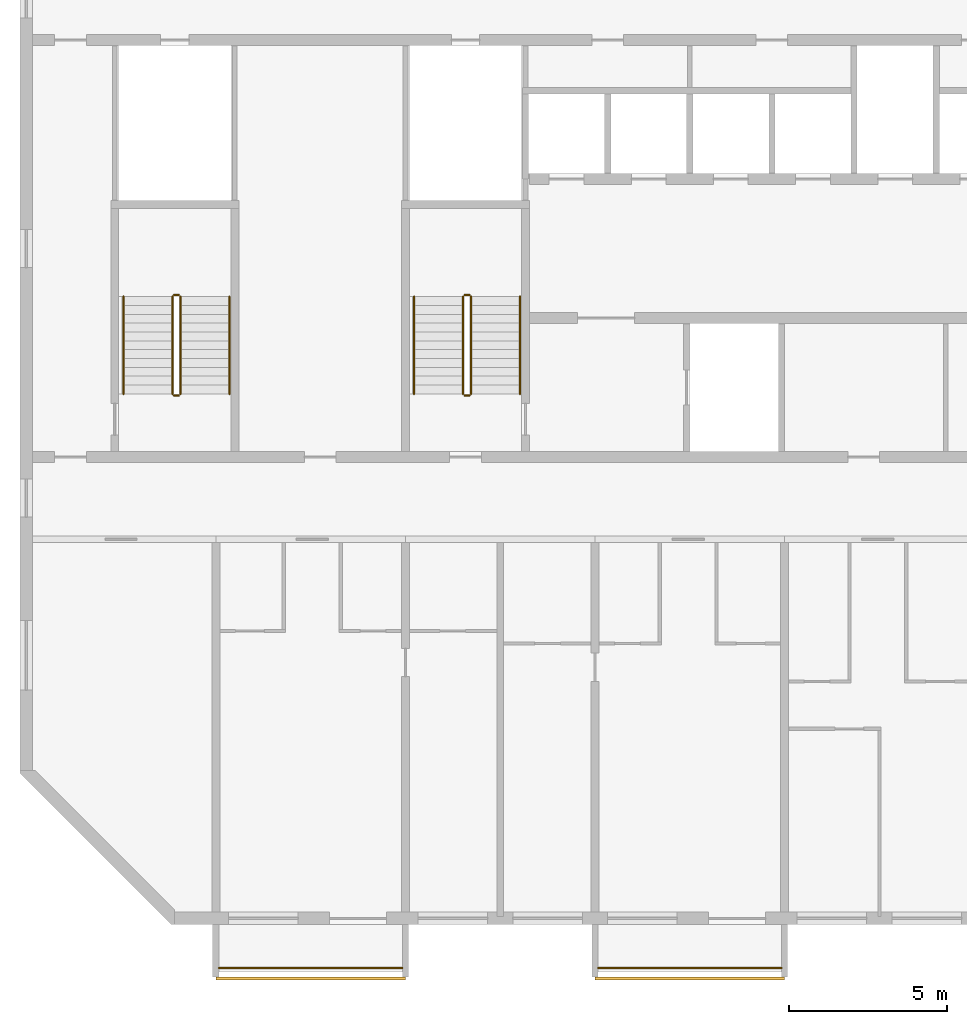
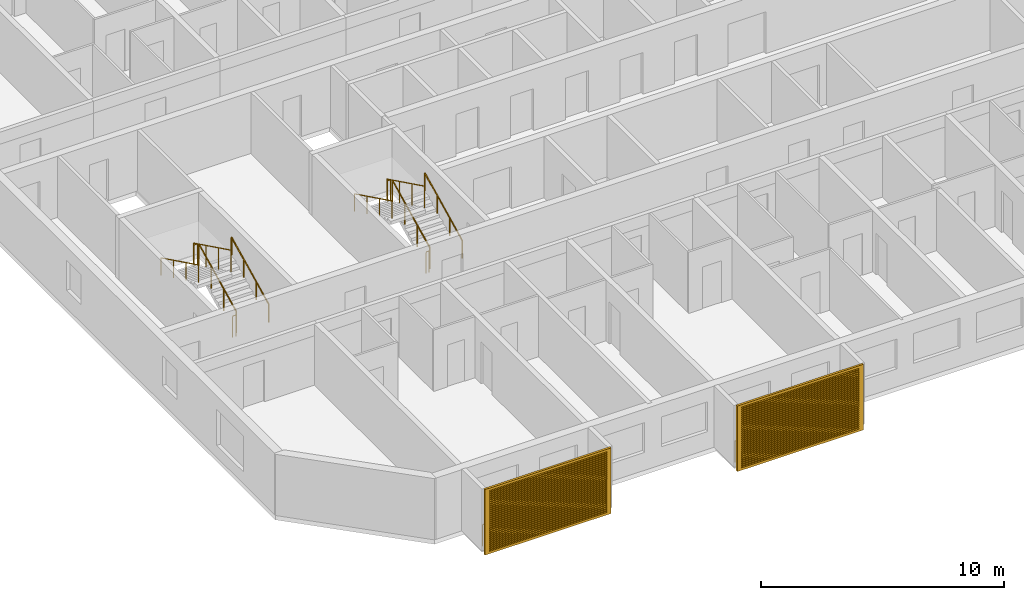
# One storey, part 13 of 26: 14 railings, 2 shading devices.
"""IFC4 building model written with IfcOpenShell, lengths in metres."""

from ifc_helpers import new_model, si_unit, direction, frame, origin, origin_2d, place, context, subcontext, project, spatial, polyline, circle, outline, extrude, source, transform, mapped, material, material_profile, profile_set, type_object, element, save


model = new_model("IFC4")

# Units and contexts
model_context = context("Model", 3, precision=1e-05, world=origin(), true_north=direction((0.0, 1.0)))
body_context = subcontext(model_context, "Body", "Model", "MODEL_VIEW")
ifc_project = project(units=[si_unit("LENGTHUNIT", "METRE"), si_unit("AREAUNIT", "SQUARE_METRE"), si_unit("VOLUMEUNIT", "CUBIC_METRE"), si_unit("PLANEANGLEUNIT", "RADIAN"), si_unit("MASSUNIT", "GRAM", prefix="KILO")], contexts=[model_context])

# Site, building, storey
site_placement = place(None, origin())
site = spatial("IfcSite", under=ifc_project, at=site_placement, CompositionType="ELEMENT")
building_placement = place(site_placement, origin())
building = spatial("IfcBuilding", under=site, at=building_placement, Name="Poui Terraces", CompositionType="ELEMENT")
storey_placement = place(building_placement, frame((0.0, 0.0, 247.800048828125)))
storey = spatial("IfcBuildingStorey", under=building, at=storey_placement, Name="L69", CompositionType="ELEMENT", Elevation=247.800048828125)

# Railings
ifc_material_1 = material(Name="Painted steel fretwork", Category="steel")
railing_type_1 = type_object("IfcRailingType", Name="BALCONY GUARD 1100", PredefinedType="GUARDRAIL", material=ifc_material_1)
for number, where, name in (
    (1, (24.10009765625, -1.570068359375, 0.0), "BALCONY GUARD"),
    (2, (36.10009765625, -1.570068359375, 0.0), "BALCONY GUARD"),
):
    element("IfcRailing", number, at=place(storey_placement, frame(where)), inside=storey, type_object=railing_type_1, Name=name, PredefinedType="GUARDRAIL", context=body_context, shape_type="SweptSolid", body=[
        extrude(circle(Radius=0.02392578125, at=origin_2d()), frame((0.0, 0.0, 1.076171875), z_axis=(1.0, 0.0, 0.0), x_axis=(0.0, 1.0, 0.0)), (0.0, 0.0, 1.0), 5.7998046875),
        extrude(circle(Radius=0.02099609375, at=origin_2d()), origin(), (0.0, 0.0, 1.0), 1.052001953125),
        extrude(circle(Radius=0.02099609375, at=origin_2d()), frame((0.966552734375, 0.0, 0.0)), (0.0, 0.0, 1.0), 1.052001953125),
        extrude(circle(Radius=0.02099609375, at=origin_2d()), frame((1.933349609375, 0.0, 0.0)), (0.0, 0.0, 1.0), 1.052001953125),
        extrude(circle(Radius=0.02099609375, at=origin_2d()), frame((2.89990234375, 0.0, 0.0)), (0.0, 0.0, 1.0), 1.052001953125),
        extrude(circle(Radius=0.02099609375, at=origin_2d()), frame((3.866455078125, 0.0, 0.0)), (0.0, 0.0, 1.0), 1.052001953125),
        extrude(circle(Radius=0.02099609375, at=origin_2d()), frame((4.833251953125, 0.0, 0.0)), (0.0, 0.0, 1.0), 1.052001953125),
        extrude(circle(Radius=0.02099609375, at=origin_2d()), frame((5.7998046875, 0.0, 0.0)), (0.0, 0.0, 1.0), 1.052001953125),
    ])
ifc_material_2 = material(Name="Galvanised steel balustrade", Category="steel")
railing_type_2 = type_object("IfcRailingType", Name="STAIR GUARD 1100", PredefinedType="GUARDRAIL", material=ifc_material_2)
railing_1_placement = place(storey_placement, frame((32.074951171875, 16.60009765625, 0.137451171875)))
element("IfcRailing", 3, at=railing_1_placement, inside=storey, type_object=railing_type_2, Name="L69 ST-CW stair guard 1", PredefinedType="GUARDRAIL", context=body_context, shape_type="SweptSolid", body=[
    extrude(circle(Radius=0.02392578125, at=origin_2d()), frame((0.0, 0.0, 1.076171875), z_axis=(0.0, 0.897606190399, 0.440798283751), x_axis=(-1.0, 0.0, 0.0)), (0.0, 0.0, 1.0), 3.43115234375),
    extrude(circle(Radius=0.02099609375, at=origin_2d()), origin(), (0.0, 0.0, 1.0), 1.052001953125),
    extrude(circle(Radius=0.02099609375, at=origin_2d()), frame((0.0, 1.026611328125, 0.504150390625)), (0.0, 0.0, 1.0), 1.052001953125),
    extrude(circle(Radius=0.02099609375, at=origin_2d()), frame((0.0, 2.05322265625, 1.00830078125)), (0.0, 0.0, 1.0), 1.052001953125),
    extrude(circle(Radius=0.02099609375, at=origin_2d()), frame((0.0, 3.079833984375, 1.512451171875)), (0.0, 0.0, 1.0), 1.052001953125),
])
railing_2_placement = place(storey_placement, frame((32.02490234375, 19.72998046875, 1.64990234375)))
element("IfcRailing", 4, at=railing_2_placement, inside=storey, type_object=railing_type_2, Name="L69 ST-CW stair guard 2", PredefinedType="GUARDRAIL", context=body_context, shape_type="SweptSolid", body=[
    extrude(circle(Radius=0.02392578125, at=origin_2d()), frame((0.0, 0.0, 1.076171875), z_axis=(-1.0, 0.0, 0.0), x_axis=(0.0, -1.0, 0.0)), (0.0, 0.0, 1.0), 0.14990234375),
    extrude(circle(Radius=0.02099609375, at=origin_2d()), origin(), (0.0, 0.0, 1.0), 1.052001953125),
    extrude(circle(Radius=0.02099609375, at=origin_2d()), frame((-0.14990234375, 0.0, 0.0)), (0.0, 0.0, 1.0), 1.052001953125),
])
railing_3_placement = place(storey_placement, frame((31.824951171875, 19.679931640625, 1.787353515625)))
element("IfcRailing", 5, at=railing_3_placement, inside=storey, type_object=railing_type_2, Name="L69 ST-CW stair guard 3", PredefinedType="GUARDRAIL", context=body_context, shape_type="SweptSolid", body=[
    extrude(circle(Radius=0.02392578125, at=origin_2d()), frame((0.0, 0.0, 1.076171875), z_axis=(0.0, -0.897578036475, 0.440855609512), x_axis=(1.0, 0.0, 0.0)), (0.0, 0.0, 1.0), 3.43115234375),
    extrude(circle(Radius=0.02099609375, at=origin_2d()), origin(), (0.0, 0.0, 1.0), 1.052001953125),
    extrude(circle(Radius=0.02099609375, at=origin_2d()), frame((0.0, -1.026611328125, 0.504150390625)), (0.0, 0.0, 1.0), 1.052001953125),
    extrude(circle(Radius=0.02099609375, at=origin_2d()), frame((0.0, -2.05322265625, 1.008544921875)), (0.0, 0.0, 1.0), 1.052001953125),
    extrude(circle(Radius=0.02099609375, at=origin_2d()), frame((0.0, -3.079833984375, 1.5126953125)), (0.0, 0.0, 1.0), 1.052001953125),
])
railing_4_placement = place(storey_placement, frame((32.02490234375, 16.550048828125, 0.0)))
element("IfcRailing", 6, at=railing_4_placement, inside=storey, type_object=railing_type_2, Name="L69 ST-CW stair guard 4", PredefinedType="GUARDRAIL", context=body_context, shape_type="SweptSolid", body=[
    extrude(circle(Radius=0.02392578125, at=origin_2d()), frame((0.0, 0.0, 1.076171875), z_axis=(-1.0, 0.0, 0.0), x_axis=(0.0, -1.0, 0.0)), (0.0, 0.0, 1.0), 0.14990234375),
    extrude(circle(Radius=0.02099609375, at=origin_2d()), origin(), (0.0, 0.0, 1.0), 1.052001953125),
    extrude(circle(Radius=0.02099609375, at=origin_2d()), frame((-0.14990234375, 0.0, 0.0)), (0.0, 0.0, 1.0), 1.052001953125),
])
railing_5_placement = place(storey_placement, frame((22.875, 16.60009765625, 0.137451171875)))
element("IfcRailing", 7, at=railing_5_placement, inside=storey, type_object=railing_type_2, Name="L69 ST-W stair guard 1", PredefinedType="GUARDRAIL", context=body_context, shape_type="SweptSolid", body=[
    extrude(circle(Radius=0.02392578125, at=origin_2d()), frame((0.0, 0.0, 1.076171875), z_axis=(0.0, 0.897606190399, 0.440798283751), x_axis=(-1.0, 0.0, 0.0)), (0.0, 0.0, 1.0), 3.43115234375),
    extrude(circle(Radius=0.02099609375, at=origin_2d()), origin(), (0.0, 0.0, 1.0), 1.052001953125),
    extrude(circle(Radius=0.02099609375, at=origin_2d()), frame((0.0, 1.026611328125, 0.504150390625)), (0.0, 0.0, 1.0), 1.052001953125),
    extrude(circle(Radius=0.02099609375, at=origin_2d()), frame((0.0, 2.05322265625, 1.00830078125)), (0.0, 0.0, 1.0), 1.052001953125),
    extrude(circle(Radius=0.02099609375, at=origin_2d()), frame((0.0, 3.079833984375, 1.512451171875)), (0.0, 0.0, 1.0), 1.052001953125),
])
railing_6_placement = place(storey_placement, frame((22.824951171875, 19.72998046875, 1.64990234375)))
element("IfcRailing", 8, at=railing_6_placement, inside=storey, type_object=railing_type_2, Name="L69 ST-W stair guard 2", PredefinedType="GUARDRAIL", context=body_context, shape_type="SweptSolid", body=[
    extrude(circle(Radius=0.02392578125, at=origin_2d()), frame((0.0, 0.0, 1.076171875), z_axis=(-1.0, 0.0, 0.0), x_axis=(0.0, -1.0, 0.0)), (0.0, 0.0, 1.0), 0.14990234375),
    extrude(circle(Radius=0.02099609375, at=origin_2d()), origin(), (0.0, 0.0, 1.0), 1.052001953125),
    extrude(circle(Radius=0.02099609375, at=origin_2d()), frame((-0.14990234375, 0.0, 0.0)), (0.0, 0.0, 1.0), 1.052001953125),
])
railing_7_placement = place(storey_placement, frame((22.625, 19.679931640625, 1.787353515625)))
element("IfcRailing", 9, at=railing_7_placement, inside=storey, type_object=railing_type_2, Name="L69 ST-W stair guard 3", PredefinedType="GUARDRAIL", context=body_context, shape_type="SweptSolid", body=[
    extrude(circle(Radius=0.02392578125, at=origin_2d()), frame((0.0, 0.0, 1.076171875), z_axis=(0.0, -0.897578036475, 0.440855609512), x_axis=(1.0, 0.0, 0.0)), (0.0, 0.0, 1.0), 3.43115234375),
    extrude(circle(Radius=0.02099609375, at=origin_2d()), origin(), (0.0, 0.0, 1.0), 1.052001953125),
    extrude(circle(Radius=0.02099609375, at=origin_2d()), frame((0.0, -1.026611328125, 0.504150390625)), (0.0, 0.0, 1.0), 1.052001953125),
    extrude(circle(Radius=0.02099609375, at=origin_2d()), frame((0.0, -2.05322265625, 1.008544921875)), (0.0, 0.0, 1.0), 1.052001953125),
    extrude(circle(Radius=0.02099609375, at=origin_2d()), frame((0.0, -3.079833984375, 1.5126953125)), (0.0, 0.0, 1.0), 1.052001953125),
])
railing_8_placement = place(storey_placement, frame((22.824951171875, 16.550048828125, 0.0)))
element("IfcRailing", 10, at=railing_8_placement, inside=storey, type_object=railing_type_2, Name="L69 ST-W stair guard 4", PredefinedType="GUARDRAIL", context=body_context, shape_type="SweptSolid", body=[
    extrude(circle(Radius=0.02392578125, at=origin_2d()), frame((0.0, 0.0, 1.076171875), z_axis=(-1.0, 0.0, 0.0), x_axis=(0.0, -1.0, 0.0)), (0.0, 0.0, 1.0), 0.14990234375),
    extrude(circle(Radius=0.02099609375, at=origin_2d()), origin(), (0.0, 0.0, 1.0), 1.052001953125),
    extrude(circle(Radius=0.02099609375, at=origin_2d()), frame((-0.14990234375, 0.0, 0.0)), (0.0, 0.0, 1.0), 1.052001953125),
])
ifc_material_3 = material(Name="Stainless steel handrail", Category="steel")
railing_type_3 = type_object("IfcRailingType", Name="STAIR HANDRAIL 900", PredefinedType="HANDRAIL", material=ifc_material_3)
railing_9_placement = place(storey_placement, frame((33.625, 16.60009765625, 0.137451171875)))
element("IfcRailing", 11, at=railing_9_placement, inside=storey, type_object=railing_type_3, Name="L69 ST-CW stair handrail 1", PredefinedType="HANDRAIL", context=body_context, shape_type="SweptSolid", body=[
    extrude(circle(Radius=0.02392578125, at=origin_2d()), frame((0.0, 0.0, 0.8759765625), z_axis=(0.0, 0.897606190399, 0.440798283751), x_axis=(-1.0, 0.0, 0.0)), (0.0, 0.0, 1.0), 3.43115234375),
    extrude(circle(Radius=0.02099609375, at=origin_2d()), origin(), (0.0, 0.0, 1.0), 0.851806640625),
    extrude(circle(Radius=0.02099609375, at=origin_2d()), frame((0.0, 1.026611328125, 0.504150390625)), (0.0, 0.0, 1.0), 0.851806640625),
    extrude(circle(Radius=0.02099609375, at=origin_2d()), frame((0.0, 2.05322265625, 1.00830078125)), (0.0, 0.0, 1.0), 0.851806640625),
    extrude(circle(Radius=0.02099609375, at=origin_2d()), frame((0.0, 3.079833984375, 1.512451171875)), (0.0, 0.0, 1.0), 0.851806640625),
])
railing_10_placement = place(storey_placement, frame((30.27490234375, 19.679931640625, 1.787353515625)))
element("IfcRailing", 12, at=railing_10_placement, inside=storey, type_object=railing_type_3, Name="L69 ST-CW stair handrail 2", PredefinedType="HANDRAIL", context=body_context, shape_type="SweptSolid", body=[
    extrude(circle(Radius=0.02392578125, at=origin_2d()), frame((0.0, 0.0, 0.8759765625), z_axis=(0.0, -0.897578036475, 0.440855609512), x_axis=(1.0, 0.0, 0.0)), (0.0, 0.0, 1.0), 3.43115234375),
    extrude(circle(Radius=0.02099609375, at=origin_2d()), origin(), (0.0, 0.0, 1.0), 0.851806640625),
    extrude(circle(Radius=0.02099609375, at=origin_2d()), frame((0.0, -1.026611328125, 0.504150390625)), (0.0, 0.0, 1.0), 0.851806640625),
    extrude(circle(Radius=0.02099609375, at=origin_2d()), frame((0.0, -2.05322265625, 1.008544921875)), (0.0, 0.0, 1.0), 0.851806640625),
    extrude(circle(Radius=0.02099609375, at=origin_2d()), frame((0.0, -3.079833984375, 1.5126953125)), (0.0, 0.0, 1.0), 0.851806640625),
])
railing_11_placement = place(storey_placement, frame((24.425048828125, 16.60009765625, 0.137451171875)))
element("IfcRailing", 13, at=railing_11_placement, inside=storey, type_object=railing_type_3, Name="L69 ST-W stair handrail 1", PredefinedType="HANDRAIL", context=body_context, shape_type="SweptSolid", body=[
    extrude(circle(Radius=0.02392578125, at=origin_2d()), frame((0.0, 0.0, 0.8759765625), z_axis=(0.0, 0.897606190399, 0.440798283751), x_axis=(-1.0, 0.0, 0.0)), (0.0, 0.0, 1.0), 3.43115234375),
    extrude(circle(Radius=0.02099609375, at=origin_2d()), origin(), (0.0, 0.0, 1.0), 0.851806640625),
    extrude(circle(Radius=0.02099609375, at=origin_2d()), frame((0.0, 1.026611328125, 0.504150390625)), (0.0, 0.0, 1.0), 0.851806640625),
    extrude(circle(Radius=0.02099609375, at=origin_2d()), frame((0.0, 2.05322265625, 1.00830078125)), (0.0, 0.0, 1.0), 0.851806640625),
    extrude(circle(Radius=0.02099609375, at=origin_2d()), frame((0.0, 3.079833984375, 1.512451171875)), (0.0, 0.0, 1.0), 0.851806640625),
])
railing_12_placement = place(storey_placement, frame((21.074951171875, 19.679931640625, 1.787353515625)))
element("IfcRailing", 14, at=railing_12_placement, inside=storey, type_object=railing_type_3, Name="L69 ST-W stair handrail 2", PredefinedType="HANDRAIL", context=body_context, shape_type="SweptSolid", body=[
    extrude(circle(Radius=0.02392578125, at=origin_2d()), frame((0.0, 0.0, 0.8759765625), z_axis=(0.0, -0.897578036475, 0.440855609512), x_axis=(1.0, 0.0, 0.0)), (0.0, 0.0, 1.0), 3.43115234375),
    extrude(circle(Radius=0.02099609375, at=origin_2d()), origin(), (0.0, 0.0, 1.0), 0.851806640625),
    extrude(circle(Radius=0.02099609375, at=origin_2d()), frame((0.0, -1.026611328125, 0.504150390625)), (0.0, 0.0, 1.0), 0.851806640625),
    extrude(circle(Radius=0.02099609375, at=origin_2d()), frame((0.0, -2.05322265625, 1.008544921875)), (0.0, 0.0, 1.0), 0.851806640625),
    extrude(circle(Radius=0.02099609375, at=origin_2d()), frame((0.0, -3.079833984375, 1.5126953125)), (0.0, 0.0, 1.0), 0.851806640625),
])

# Shading devices
ifc_material_4 = material(Name="Aluminium louvre", Category="aluminium")
ifc_material_profile = material_profile(ifc_material_4, outline(polyline([(-3.0, -1.64990234375), (3.0, -1.64990234375), (3.0, 1.64990234375), (-3.0, 1.64990234375), (-3.0, -1.64990234375)]), holes=[polyline([(-2.800048828125, -1.530029296875), (2.800048828125, -1.530029296875), (2.800048828125, -1.469970703125), (-2.800048828125, -1.469970703125), (-2.800048828125, -1.530029296875)]), polyline([(-2.800048828125, -1.429931640625), (2.800048828125, -1.429931640625), (2.800048828125, -1.3701171875), (-2.800048828125, -1.3701171875), (-2.800048828125, -1.429931640625)]), polyline([(-2.800048828125, -1.330078125), (2.800048828125, -1.330078125), (2.800048828125, -1.27001953125), (-2.800048828125, -1.27001953125), (-2.800048828125, -1.330078125)]), polyline([(-2.800048828125, -1.22998046875), (2.800048828125, -1.22998046875), (2.800048828125, -1.169921875), (-2.800048828125, -1.169921875), (-2.800048828125, -1.22998046875)]), polyline([(-2.800048828125, -1.1298828125), (2.800048828125, -1.1298828125), (2.800048828125, -1.070068359375), (-2.800048828125, -1.070068359375), (-2.800048828125, -1.1298828125)]), polyline([(-2.800048828125, -1.030029296875), (2.800048828125, -1.030029296875), (2.800048828125, -0.969970703125), (-2.800048828125, -0.969970703125), (-2.800048828125, -1.030029296875)]), polyline([(-2.800048828125, -0.929931640625), (2.800048828125, -0.929931640625), (2.800048828125, -0.8701171875), (-2.800048828125, -0.8701171875), (-2.800048828125, -0.929931640625)]), polyline([(-2.800048828125, -0.830078125), (2.800048828125, -0.830078125), (2.800048828125, -0.77001953125), (-2.800048828125, -0.77001953125), (-2.800048828125, -0.830078125)]), polyline([(-2.800048828125, -0.72998046875), (2.800048828125, -0.72998046875), (2.800048828125, -0.669921875), (-2.800048828125, -0.669921875), (-2.800048828125, -0.72998046875)]), polyline([(-2.800048828125, -0.6298828125), (2.800048828125, -0.6298828125), (2.800048828125, -0.570068359375), (-2.800048828125, -0.570068359375), (-2.800048828125, -0.6298828125)]), polyline([(-2.800048828125, -0.530029296875), (2.800048828125, -0.530029296875), (2.800048828125, -0.469970703125), (-2.800048828125, -0.469970703125), (-2.800048828125, -0.530029296875)]), polyline([(-2.800048828125, -0.429931640625), (2.800048828125, -0.429931640625), (2.800048828125, -0.3701171875), (-2.800048828125, -0.3701171875), (-2.800048828125, -0.429931640625)]), polyline([(-2.800048828125, -0.330078125), (2.800048828125, -0.330078125), (2.800048828125, -0.27001953125), (-2.800048828125, -0.27001953125), (-2.800048828125, -0.330078125)]), polyline([(-2.800048828125, -0.22998046875), (2.800048828125, -0.22998046875), (2.800048828125, -0.169921875), (-2.800048828125, -0.169921875), (-2.800048828125, -0.22998046875)]), polyline([(-2.800048828125, -0.1298828125), (2.800048828125, -0.1298828125), (2.800048828125, -0.070068359375), (-2.800048828125, -0.070068359375), (-2.800048828125, -0.1298828125)]), polyline([(-2.800048828125, -0.030029296875), (2.800048828125, -0.030029296875), (2.800048828125, 0.030029296875), (-2.800048828125, 0.030029296875), (-2.800048828125, -0.030029296875)]), polyline([(-2.800048828125, 0.070068359375), (2.800048828125, 0.070068359375), (2.800048828125, 0.1298828125), (-2.800048828125, 0.1298828125), (-2.800048828125, 0.070068359375)]), polyline([(-2.800048828125, 0.169921875), (2.800048828125, 0.169921875), (2.800048828125, 0.22998046875), (-2.800048828125, 0.22998046875), (-2.800048828125, 0.169921875)]), polyline([(-2.800048828125, 0.27001953125), (2.800048828125, 0.27001953125), (2.800048828125, 0.330078125), (-2.800048828125, 0.330078125), (-2.800048828125, 0.27001953125)]), polyline([(-2.800048828125, 0.3701171875), (2.800048828125, 0.3701171875), (2.800048828125, 0.429931640625), (-2.800048828125, 0.429931640625), (-2.800048828125, 0.3701171875)]), polyline([(-2.800048828125, 0.469970703125), (2.800048828125, 0.469970703125), (2.800048828125, 0.530029296875), (-2.800048828125, 0.530029296875), (-2.800048828125, 0.469970703125)]), polyline([(-2.800048828125, 0.570068359375), (2.800048828125, 0.570068359375), (2.800048828125, 0.6298828125), (-2.800048828125, 0.6298828125), (-2.800048828125, 0.570068359375)]), polyline([(-2.800048828125, 0.669921875), (2.800048828125, 0.669921875), (2.800048828125, 0.72998046875), (-2.800048828125, 0.72998046875), (-2.800048828125, 0.669921875)]), polyline([(-2.800048828125, 0.77001953125), (2.800048828125, 0.77001953125), (2.800048828125, 0.830078125), (-2.800048828125, 0.830078125), (-2.800048828125, 0.77001953125)]), polyline([(-2.800048828125, 0.8701171875), (2.800048828125, 0.8701171875), (2.800048828125, 0.929931640625), (-2.800048828125, 0.929931640625), (-2.800048828125, 0.8701171875)]), polyline([(-2.800048828125, 0.969970703125), (2.800048828125, 0.969970703125), (2.800048828125, 1.030029296875), (-2.800048828125, 1.030029296875), (-2.800048828125, 0.969970703125)]), polyline([(-2.800048828125, 1.070068359375), (2.800048828125, 1.070068359375), (2.800048828125, 1.1298828125), (-2.800048828125, 1.1298828125), (-2.800048828125, 1.070068359375)]), polyline([(-2.800048828125, 1.169921875), (2.800048828125, 1.169921875), (2.800048828125, 1.22998046875), (-2.800048828125, 1.22998046875), (-2.800048828125, 1.169921875)]), polyline([(-2.800048828125, 1.27001953125), (2.800048828125, 1.27001953125), (2.800048828125, 1.330078125), (-2.800048828125, 1.330078125), (-2.800048828125, 1.27001953125)]), polyline([(-2.800048828125, 1.3701171875), (2.800048828125, 1.3701171875), (2.800048828125, 1.429931640625), (-2.800048828125, 1.429931640625), (-2.800048828125, 1.3701171875)]), polyline([(-2.800048828125, 1.469970703125), (2.800048828125, 1.469970703125), (2.800048828125, 1.530029296875), (-2.800048828125, 1.530029296875), (-2.800048828125, 1.469970703125)])]), Name="JALOUSIE LOUVRE SHUTTER 6000X3300")
ifc_profile_set = profile_set([ifc_material_profile], Name="Aluminium louvre")
shading_device_type = type_object("IfcShadingDeviceType", Name="JALOUSIE LOUVRE SHUTTER 6000X3300", PredefinedType="JALOUSIE", material=ifc_profile_set)
shared_shape = source(origin(), body_context, "Body", "SweptSolid", [
    extrude(outline(polyline([(-3.0, -1.64990234375), (3.0, -1.64990234375), (3.0, 1.64990234375), (-3.0, 1.64990234375), (-3.0, -1.64990234375)]), holes=[polyline([(-2.800048828125, -1.530029296875), (2.800048828125, -1.530029296875), (2.800048828125, -1.469970703125), (-2.800048828125, -1.469970703125), (-2.800048828125, -1.530029296875)]), polyline([(-2.800048828125, -1.429931640625), (2.800048828125, -1.429931640625), (2.800048828125, -1.3701171875), (-2.800048828125, -1.3701171875), (-2.800048828125, -1.429931640625)]), polyline([(-2.800048828125, -1.330078125), (2.800048828125, -1.330078125), (2.800048828125, -1.27001953125), (-2.800048828125, -1.27001953125), (-2.800048828125, -1.330078125)]), polyline([(-2.800048828125, -1.22998046875), (2.800048828125, -1.22998046875), (2.800048828125, -1.169921875), (-2.800048828125, -1.169921875), (-2.800048828125, -1.22998046875)]), polyline([(-2.800048828125, -1.1298828125), (2.800048828125, -1.1298828125), (2.800048828125, -1.070068359375), (-2.800048828125, -1.070068359375), (-2.800048828125, -1.1298828125)]), polyline([(-2.800048828125, -1.030029296875), (2.800048828125, -1.030029296875), (2.800048828125, -0.969970703125), (-2.800048828125, -0.969970703125), (-2.800048828125, -1.030029296875)]), polyline([(-2.800048828125, -0.929931640625), (2.800048828125, -0.929931640625), (2.800048828125, -0.8701171875), (-2.800048828125, -0.8701171875), (-2.800048828125, -0.929931640625)]), polyline([(-2.800048828125, -0.830078125), (2.800048828125, -0.830078125), (2.800048828125, -0.77001953125), (-2.800048828125, -0.77001953125), (-2.800048828125, -0.830078125)]), polyline([(-2.800048828125, -0.72998046875), (2.800048828125, -0.72998046875), (2.800048828125, -0.669921875), (-2.800048828125, -0.669921875), (-2.800048828125, -0.72998046875)]), polyline([(-2.800048828125, -0.6298828125), (2.800048828125, -0.6298828125), (2.800048828125, -0.570068359375), (-2.800048828125, -0.570068359375), (-2.800048828125, -0.6298828125)]), polyline([(-2.800048828125, -0.530029296875), (2.800048828125, -0.530029296875), (2.800048828125, -0.469970703125), (-2.800048828125, -0.469970703125), (-2.800048828125, -0.530029296875)]), polyline([(-2.800048828125, -0.429931640625), (2.800048828125, -0.429931640625), (2.800048828125, -0.3701171875), (-2.800048828125, -0.3701171875), (-2.800048828125, -0.429931640625)]), polyline([(-2.800048828125, -0.330078125), (2.800048828125, -0.330078125), (2.800048828125, -0.27001953125), (-2.800048828125, -0.27001953125), (-2.800048828125, -0.330078125)]), polyline([(-2.800048828125, -0.22998046875), (2.800048828125, -0.22998046875), (2.800048828125, -0.169921875), (-2.800048828125, -0.169921875), (-2.800048828125, -0.22998046875)]), polyline([(-2.800048828125, -0.1298828125), (2.800048828125, -0.1298828125), (2.800048828125, -0.070068359375), (-2.800048828125, -0.070068359375), (-2.800048828125, -0.1298828125)]), polyline([(-2.800048828125, -0.030029296875), (2.800048828125, -0.030029296875), (2.800048828125, 0.030029296875), (-2.800048828125, 0.030029296875), (-2.800048828125, -0.030029296875)]), polyline([(-2.800048828125, 0.070068359375), (2.800048828125, 0.070068359375), (2.800048828125, 0.1298828125), (-2.800048828125, 0.1298828125), (-2.800048828125, 0.070068359375)]), polyline([(-2.800048828125, 0.169921875), (2.800048828125, 0.169921875), (2.800048828125, 0.22998046875), (-2.800048828125, 0.22998046875), (-2.800048828125, 0.169921875)]), polyline([(-2.800048828125, 0.27001953125), (2.800048828125, 0.27001953125), (2.800048828125, 0.330078125), (-2.800048828125, 0.330078125), (-2.800048828125, 0.27001953125)]), polyline([(-2.800048828125, 0.3701171875), (2.800048828125, 0.3701171875), (2.800048828125, 0.429931640625), (-2.800048828125, 0.429931640625), (-2.800048828125, 0.3701171875)]), polyline([(-2.800048828125, 0.469970703125), (2.800048828125, 0.469970703125), (2.800048828125, 0.530029296875), (-2.800048828125, 0.530029296875), (-2.800048828125, 0.469970703125)]), polyline([(-2.800048828125, 0.570068359375), (2.800048828125, 0.570068359375), (2.800048828125, 0.6298828125), (-2.800048828125, 0.6298828125), (-2.800048828125, 0.570068359375)]), polyline([(-2.800048828125, 0.669921875), (2.800048828125, 0.669921875), (2.800048828125, 0.72998046875), (-2.800048828125, 0.72998046875), (-2.800048828125, 0.669921875)]), polyline([(-2.800048828125, 0.77001953125), (2.800048828125, 0.77001953125), (2.800048828125, 0.830078125), (-2.800048828125, 0.830078125), (-2.800048828125, 0.77001953125)]), polyline([(-2.800048828125, 0.8701171875), (2.800048828125, 0.8701171875), (2.800048828125, 0.929931640625), (-2.800048828125, 0.929931640625), (-2.800048828125, 0.8701171875)]), polyline([(-2.800048828125, 0.969970703125), (2.800048828125, 0.969970703125), (2.800048828125, 1.030029296875), (-2.800048828125, 1.030029296875), (-2.800048828125, 0.969970703125)]), polyline([(-2.800048828125, 1.070068359375), (2.800048828125, 1.070068359375), (2.800048828125, 1.1298828125), (-2.800048828125, 1.1298828125), (-2.800048828125, 1.070068359375)]), polyline([(-2.800048828125, 1.169921875), (2.800048828125, 1.169921875), (2.800048828125, 1.22998046875), (-2.800048828125, 1.22998046875), (-2.800048828125, 1.169921875)]), polyline([(-2.800048828125, 1.27001953125), (2.800048828125, 1.27001953125), (2.800048828125, 1.330078125), (-2.800048828125, 1.330078125), (-2.800048828125, 1.27001953125)]), polyline([(-2.800048828125, 1.3701171875), (2.800048828125, 1.3701171875), (2.800048828125, 1.429931640625), (-2.800048828125, 1.429931640625), (-2.800048828125, 1.3701171875)]), polyline([(-2.800048828125, 1.469970703125), (2.800048828125, 1.469970703125), (2.800048828125, 1.530029296875), (-2.800048828125, 1.530029296875), (-2.800048828125, 1.469970703125)])]), origin(), (0.0, 0.0, 1.0), 0.099853515625),
])
for number, where, z_axis, x_axis, name in (
    (15, (27.0, -1.85009765625, 1.449951171875), (0.0, -1.0, 0.0), (1.0, 0.0, 0.0), "JALOUSIE LOUVRE SHUTTER"),
    (16, (39.0, -1.85009765625, 1.449951171875), (0.0, -1.0, 0.0), (1.0, 0.0, 0.0), "JALOUSIE LOUVRE SHUTTER"),
):
    element("IfcShadingDevice", number, at=place(storey_placement, frame(where, z_axis=z_axis, x_axis=x_axis)), inside=storey, type_object=shading_device_type, Name=name, PredefinedType="JALOUSIE", context=body_context, shape_type="MappedRepresentation", body=[
        mapped(shared_shape, transform((0.0, 0.0, 0.0))),
    ])

save(model, "model.ifc")
